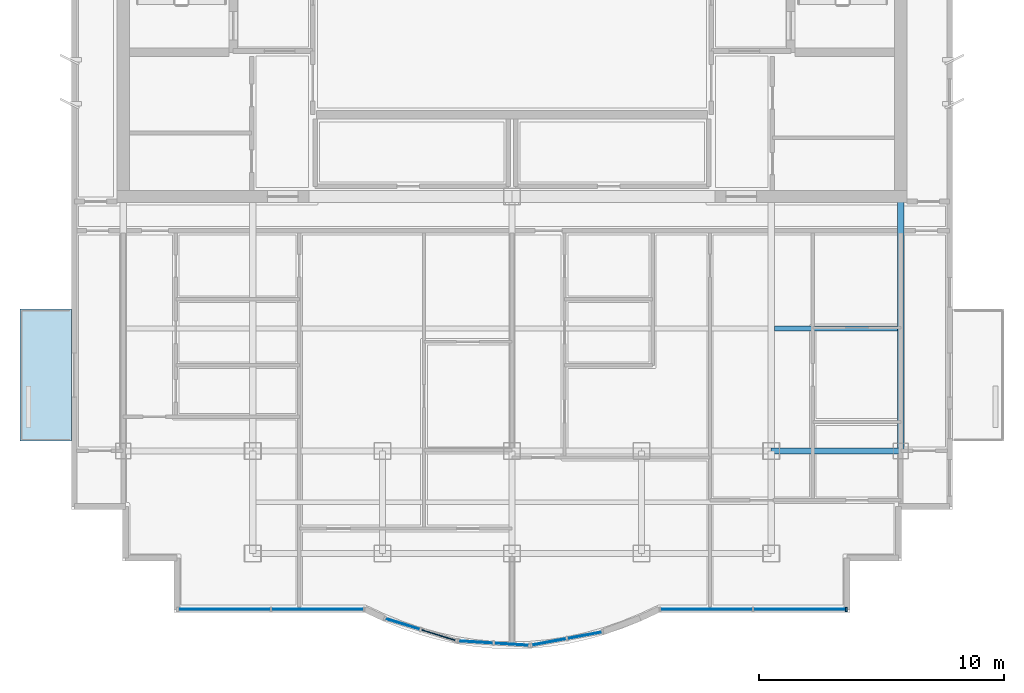
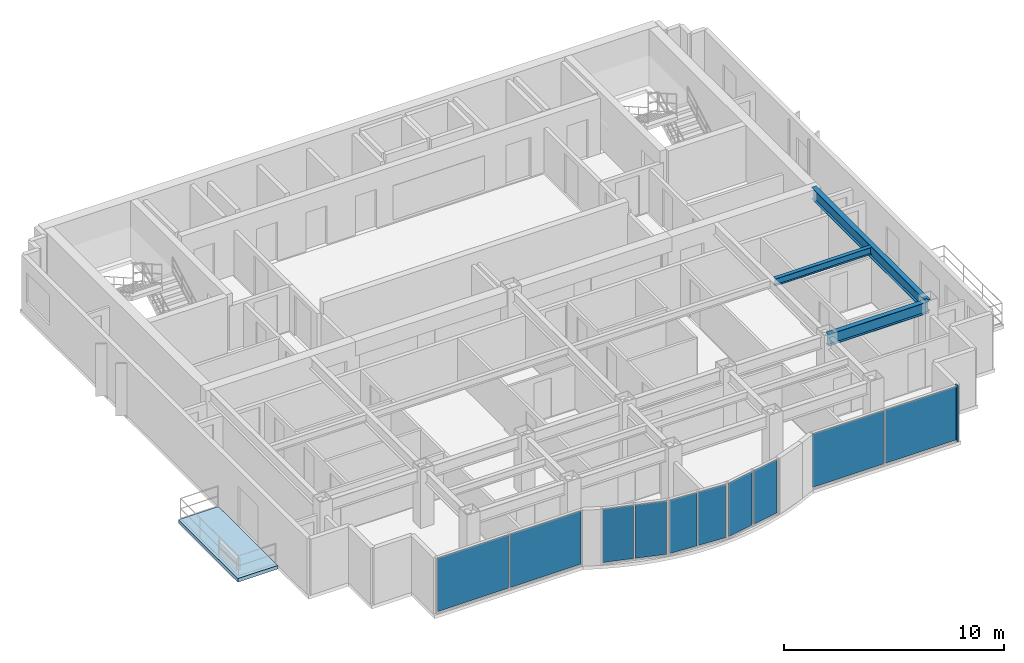
# One storey, part 2 of 9: 10 plates, 3 beams, 1 member, 1 slab, 5 elements without a shape of their own.
"""IFC4 building model written with IfcOpenShell, lengths in metres."""

from ifc_helpers import new_model, si_unit, direction, frame, origin, origin_2d, place, context, subcontext, project, spatial, polyline, rectangle, i_section, outline, extrude, source, transform, mapped, material, layer, layer_set, material_profile, profile_set, type_object, element, aggregate, save


model = new_model("IFC4")

# Units and contexts
model_context = context("Model", 3, precision=1e-05, world=origin(), true_north=direction((0.0, 1.0)))
body_context = subcontext(model_context, "Body", "Model", "MODEL_VIEW")
ifc_project = project(units=[si_unit("LENGTHUNIT", "METRE"), si_unit("AREAUNIT", "SQUARE_METRE"), si_unit("VOLUMEUNIT", "CUBIC_METRE"), si_unit("PLANEANGLEUNIT", "RADIAN"), si_unit("MASSUNIT", "GRAM", prefix="KILO")], contexts=[model_context])

# Site, building, storey
site_placement = place(None, origin())
site = spatial("IfcSite", under=ifc_project, at=site_placement, CompositionType="ELEMENT")
building_placement = place(site_placement, origin())
building = spatial("IfcBuilding", under=site, at=building_placement, Name="Qianlan Lanfeng Residences", CompositionType="ELEMENT")
storey_placement = place(building_placement, frame((0.0, 0.0, 252.800048828125)))
storey = spatial("IfcBuildingStorey", under=building, at=storey_placement, Name="L70", CompositionType="ELEMENT", Elevation=252.800048828125)

# Beams
ifc_material_1 = material(Name="Steel SN490B", Category="steel")
ifc_material_profile_1 = material_profile(ifc_material_1, i_section(OverallWidth=0.25, OverallDepth=0.64990234375, WebThickness=0.012939453125, FlangeThickness=0.02197265625, at=origin_2d()), Name="H 650x250x13x22")
ifc_profile_set_1 = profile_set([ifc_material_profile_1], Name="Steel SN490B")
beam_type_1 = type_object("IfcBeamType", Name="G-650", PredefinedType="BEAM", material=ifc_profile_set_1)
beam_1_placement = place(storey_placement, frame((37.10009765625, 14.800048828125, 2.784912109375), z_axis=(1.0, 0.0, 0.0), x_axis=(0.0, 1.0, 0.0)))
element("IfcBeam", 1, at=beam_1_placement, inside=storey, type_object=beam_type_1, Name="Structural beam G-650", PredefinedType="BEAM", context=body_context, shape_type="SweptSolid", body=[
    extrude(i_section(OverallWidth=0.25, OverallDepth=0.64990234375, WebThickness=0.012939453125, FlangeThickness=0.02197265625, at=origin_2d()), origin(), (0.0, 0.0, 1.0), 5.2998046875),
])
beam_2_placement = place(storey_placement, frame((42.39990234375, 14.800048828125, 2.784912109375), z_axis=(0.0, 1.0, 0.0), x_axis=(-1.0, 0.0, 0.0)))
element("IfcBeam", 2, at=beam_2_placement, inside=storey, type_object=beam_type_1, Name="Structural beam G-650", PredefinedType="BEAM", context=body_context, shape_type="SweptSolid", body=[
    extrude(i_section(OverallWidth=0.25, OverallDepth=0.64990234375, WebThickness=0.012939453125, FlangeThickness=0.02197265625, at=origin_2d()), origin(), (0.0, 0.0, 1.0), 10.39990234375),
])
ifc_material_profile_2 = material_profile(ifc_material_1, i_section(OverallWidth=0.199951171875, OverallDepth=0.39990234375, WebThickness=0.008056640625, FlangeThickness=0.012939453125, at=origin_2d()), Name="H 400x200x8x13")
ifc_profile_set_2 = profile_set([ifc_material_profile_2], Name="Steel SN490B")
beam_type_2 = type_object("IfcBeamType", Name="J-400", PredefinedType="JOIST", material=ifc_profile_set_2)
beam_3_placement = place(storey_placement, frame((37.22509765625, 19.800048828125, 2.909912109375), z_axis=(1.0, 0.0, 0.0), x_axis=(0.0, 1.0, 0.0)))
element("IfcBeam", 3, at=beam_3_placement, inside=storey, type_object=beam_type_2, Name="Structural beam J-400", PredefinedType="JOIST", context=body_context, shape_type="SweptSolid", body=[
    extrude(i_section(OverallWidth=0.199951171875, OverallDepth=0.39990234375, WebThickness=0.008056640625, FlangeThickness=0.012939453125, at=origin_2d()), origin(), (0.0, 0.0, 1.0), 5.0498046875),
])

# Curtain wall, member
ifc_material_2 = material(Name="Anodised Bronze Aluminium 6063-T6", Category="aluminium")
ifc_layer_1 = layer(ifc_material_2, 0.219970703125)
ifc_layer_set_1 = layer_set([ifc_layer_1], Name="Anodised Bronze Aluminium 6063-T6")
curtain_wall_type = type_object("IfcCurtainWallType", Name="CW-06", PredefinedType="NOTDEFINED", material=ifc_layer_set_1)
curtain_wall_1_placement = place(storey_placement, origin())
curtain_wall_1 = element("IfcCurtainWall", 4, at=curtain_wall_1_placement, inside=storey, type_object=curtain_wall_type, Name="L70 Unitised Curtain Wall CWR-L70-05 (CW-06)", PredefinedType="NOTDEFINED")
ifc_material_profile_3 = material_profile(ifc_material_2, rectangle(XDim=0.074951171875, YDim=0.179931640625, at=origin_2d()), Name="ALU MULLION 75x180")
ifc_profile_set_3 = profile_set([ifc_material_profile_3], Name="Anodised Bronze Aluminium 6063-T6")
member_type = type_object("IfcMemberType", Name="CWM-180", PredefinedType="MULLION", material=ifc_profile_set_3)
shared_shape_1 = source(origin(), body_context, "Body", "SweptSolid", [
    extrude(rectangle(XDim=0.074951171875, YDim=0.179931640625, at=origin_2d()), origin(), (0.0, 0.0, 1.0), 3.10986328125),
])
member_placement = place(storey_placement, frame((40.16259765625, 8.320068359375, 0.0), z_axis=(0.0, 0.0, 1.0), x_axis=(1.0, 0.0, 0.0)))
member = element("IfcMember", 5, at=member_placement, type_object=member_type, Name="CWR-L70-05 Mullion 3", PredefinedType="MULLION", context=body_context, shape_type="MappedRepresentation", body=[
    mapped(shared_shape_1, transform((0.0, 0.0, 0.0), scale=1.0)),
])

# Slab
ifc_material_3 = material(Name="Concrete C42", Category="concrete")
ifc_layer_2 = layer(ifc_material_3, 0.199951171875)
ifc_layer_set_2 = layer_set([ifc_layer_2], Name="Concrete C42")
slab_type = type_object("IfcSlabType", Name="S-BAL-200", PredefinedType="FLOOR", material=ifc_layer_set_2)
slab_placement = place(storey_placement, frame((0.0, 0.0, -0.199951171875)))
element("IfcSlab", 6, at=slab_placement, inside=storey, type_object=slab_type, Name="L70 Planted Tree Balcony Slab WB-S", PredefinedType="FLOOR", context=body_context, shape_type="SweptSolid", body=[
    extrude(outline(polyline([(8.47998046875, 15.199951171875), (8.47998046875, 20.60009765625), (6.3798828125, 20.60009765625), (6.3798828125, 15.199951171875), (8.47998046875, 15.199951171875)])), origin(), (0.0, 0.0, 1.0), 0.199951171875),
])

# Curtain wall, plates
curtain_wall_2_placement = place(storey_placement, origin())
curtain_wall_2 = element("IfcCurtainWall", 7, at=curtain_wall_2_placement, inside=storey, type_object=curtain_wall_type, Name="L70 Unitised Curtain Wall CWR-L70-01 (CW-06)", PredefinedType="NOTDEFINED")
ifc_material_4 = material(Name="Dark Bronze Tinted Insulated Glass", Category="glass")
ifc_layer_3 = layer(ifc_material_4, 0.0380859375)
ifc_layer_set_3 = layer_set([ifc_layer_3], Name="Dark Bronze Tinted Insulated Glass")
plate_type_1 = type_object("IfcPlateType", Name="PNL-GLZ-BRZ", PredefinedType="CURTAIN_PANEL", material=ifc_layer_set_3)
shared_shape_2 = source(origin(), body_context, "Body", "SweptSolid", [
    extrude(rectangle(XDim=3.73291015625, YDim=0.0380859375, at=origin_2d()), origin(), (0.0, 0.0, 1.0), 2.9619140625),
])
plate_1_placement = place(storey_placement, frame((14.740478515625, 8.320068359375, 0.073974609375), z_axis=(0.0, 0.0, 1.0), x_axis=(1.0, 0.0, 0.0)))
plate_1 = element("IfcPlate", 8, at=plate_1_placement, type_object=plate_type_1, Name="CWR-L70-01 Curtain Panel 1", PredefinedType="CURTAIN_PANEL", context=body_context, shape_type="MappedRepresentation", body=[
    mapped(shared_shape_2, transform((0.0, 0.0, 0.0), scale=1.0)),
])
plate_2_placement = place(storey_placement, frame((18.54638671875, 8.320068359375, 0.073974609375), z_axis=(0.0, 0.0, 1.0), x_axis=(1.0, 0.0, 0.0)))
plate_2 = element("IfcPlate", 9, at=plate_2_placement, type_object=plate_type_1, Name="CWR-L70-01 Curtain Panel 2", PredefinedType="CURTAIN_PANEL", context=body_context, shape_type="MappedRepresentation", body=[
    mapped(shared_shape_2, transform((0.0, 0.0, 0.0), scale=1.0)),
])
aggregate(curtain_wall_2, [plate_1, plate_2])

# Plate
plate_3_placement = place(storey_placement, frame((34.45361328125, 8.320068359375, 0.073974609375), z_axis=(0.0, 0.0, 1.0), x_axis=(1.0, 0.0, 0.0)))
plate_3 = element("IfcPlate", 10, at=plate_3_placement, type_object=plate_type_1, Name="CWR-L70-05 Curtain Panel 1", PredefinedType="CURTAIN_PANEL", context=body_context, shape_type="MappedRepresentation", body=[
    mapped(shared_shape_2, transform((0.0, 0.0, 0.0), scale=1.0)),
])

plate_4_placement = place(storey_placement, frame((38.259521484375, 8.320068359375, 0.073974609375), z_axis=(0.0, 0.0, 1.0), x_axis=(1.0, 0.0, 0.0)))
plate_4 = element("IfcPlate", 11, at=plate_4_placement, type_object=plate_type_1, Name="CWR-L70-05 Curtain Panel 2", PredefinedType="CURTAIN_PANEL", context=body_context, shape_type="MappedRepresentation", body=[
    mapped(shared_shape_2, transform((0.0, 0.0, 0.0), scale=1.0)),
])

aggregate(curtain_wall_1, [member, plate_3, plate_4])

# Curtain wall, plates
curtain_wall_3_placement = place(storey_placement, origin())
curtain_wall_3 = element("IfcCurtainWall", 12, at=curtain_wall_3_placement, inside=storey, type_object=curtain_wall_type, Name="L70 Unitised Curtain Wall CWR-L70-02 (CW-06)", PredefinedType="NOTDEFINED")
shared_shape_3 = source(origin(), body_context, "Body", "SweptSolid", [
    extrude(rectangle(XDim=1.456787109375, YDim=0.0380859375, at=origin_2d()), origin(), (0.0, 0.0, 1.0), 2.9619140625),
])
plate_5_placement = place(storey_placement, frame((22.029296875, 7.72021484375, 0.073974609375), z_axis=(0.0, 0.0, 1.0), x_axis=(0.955079962155, -0.296348217287, 0.0)))
plate_5 = element("IfcPlate", 13, at=plate_5_placement, type_object=plate_type_1, Name="CWR-L70-02 Curtain Panel 1", PredefinedType="CURTAIN_PANEL", context=body_context, shape_type="MappedRepresentation", body=[
    mapped(shared_shape_3, transform((0.0, 0.0, 0.0), scale=1.0)),
])
ifc_material_5 = material(Name="Perforated Champagne Gold Aluminium Panel", Category="aluminium")
ifc_layer_4 = layer(ifc_material_5, 0.0400390625)
ifc_layer_set_4 = layer_set([ifc_layer_4], Name="Perforated Champagne Gold Aluminium Panel")
plate_type_2 = type_object("IfcPlateType", Name="PNL-PRF-GLD", PredefinedType="CURTAIN_PANEL", material=ifc_layer_set_4)
shared_shape_4 = source(origin(), body_context, "Body", "SweptSolid", [
    extrude(rectangle(XDim=1.456787109375, YDim=0.0400390625, at=origin_2d()), origin(), (0.0, 0.0, 1.0), 2.9619140625),
])
plate_6_placement = place(storey_placement, frame((23.490478515625, 7.266845703125, 0.073974609375), z_axis=(0.0, 0.0, 1.0), x_axis=(0.955079962155, -0.296348217287, 0.0)))
plate_6 = element("IfcPlate", 14, at=plate_6_placement, type_object=plate_type_2, Name="CWR-L70-02 Curtain Panel 2", PredefinedType="CURTAIN_PANEL", context=body_context, shape_type="MappedRepresentation", body=[
    mapped(shared_shape_4, transform((0.0, 0.0, 0.0), scale=1.0)),
])
aggregate(curtain_wall_3, [plate_5, plate_6])

curtain_wall_4_placement = place(storey_placement, origin())
curtain_wall_4 = element("IfcCurtainWall", 15, at=curtain_wall_4_placement, inside=storey, type_object=curtain_wall_type, Name="L70 Unitised Curtain Wall CWR-L70-03 (CW-06)", PredefinedType="NOTDEFINED")
shared_shape_5 = source(origin(), body_context, "Body", "SweptSolid", [
    extrude(rectangle(XDim=1.387939453125, YDim=0.0380859375, at=origin_2d()), origin(), (0.0, 0.0, 1.0), 2.9619140625),
])
plate_7_placement = place(storey_placement, frame((25.0234375, 6.981201171875, 0.073974609375), z_axis=(0.0, 0.0, 1.0), x_axis=(0.998072054859, -0.062065878781, 0.0)))
plate_7 = element("IfcPlate", 16, at=plate_7_placement, type_object=plate_type_1, Name="CWR-L70-03 Curtain Panel 1", PredefinedType="CURTAIN_PANEL", context=body_context, shape_type="MappedRepresentation", body=[
    mapped(shared_shape_5, transform((0.0, 0.0, 0.0), scale=1.0)),
])
plate_8_placement = place(storey_placement, frame((26.481689453125, 6.890625, 0.073974609375), z_axis=(0.0, 0.0, 1.0), x_axis=(0.998072054859, -0.062065878781, 0.0)))
plate_8 = element("IfcPlate", 17, at=plate_8_placement, type_object=plate_type_1, Name="CWR-L70-03 Curtain Panel 2", PredefinedType="CURTAIN_PANEL", context=body_context, shape_type="MappedRepresentation", body=[
    mapped(shared_shape_5, transform((0.0, 0.0, 0.0), scale=1.0)),
])
aggregate(curtain_wall_4, [plate_7, plate_8])

curtain_wall_5_placement = place(storey_placement, origin())
curtain_wall_5 = element("IfcCurtainWall", 18, at=curtain_wall_5_placement, inside=storey, type_object=curtain_wall_type, Name="L70 Unitised Curtain Wall CWR-L70-04 (CW-06)", PredefinedType="NOTDEFINED")
shared_shape_6 = source(origin(), body_context, "Body", "SweptSolid", [
    extrude(rectangle(XDim=1.410888671875, YDim=0.0380859375, at=origin_2d()), origin(), (0.0, 0.0, 1.0), 2.9619140625),
])
plate_9_placement = place(storey_placement, frame((28.01416015625, 6.98583984375, 0.073974609375), z_axis=(0.0, 0.0, 1.0), x_axis=(0.983039214023, 0.183395484386, 0.0)))
plate_9 = element("IfcPlate", 19, at=plate_9_placement, type_object=plate_type_1, Name="CWR-L70-04 Curtain Panel 1", PredefinedType="CURTAIN_PANEL", context=body_context, shape_type="MappedRepresentation", body=[
    mapped(shared_shape_6, transform((0.0, 0.0, 0.0), scale=1.0)),
])
shared_shape_7 = source(origin(), body_context, "Body", "SweptSolid", [
    extrude(rectangle(XDim=1.410888671875, YDim=0.0400390625, at=origin_2d()), origin(), (0.0, 0.0, 1.0), 2.9619140625),
])
plate_10_placement = place(storey_placement, frame((29.472900390625, 7.258056640625, 0.073974609375), z_axis=(0.0, 0.0, 1.0), x_axis=(0.983039214023, 0.183395484386, 0.0)))
plate_10 = element("IfcPlate", 20, at=plate_10_placement, type_object=plate_type_2, Name="CWR-L70-04 Curtain Panel 2", PredefinedType="CURTAIN_PANEL", context=body_context, shape_type="MappedRepresentation", body=[
    mapped(shared_shape_7, transform((0.0, 0.0, 0.0), scale=1.0)),
])
aggregate(curtain_wall_5, [plate_9, plate_10])

save(model, "model.ifc")
